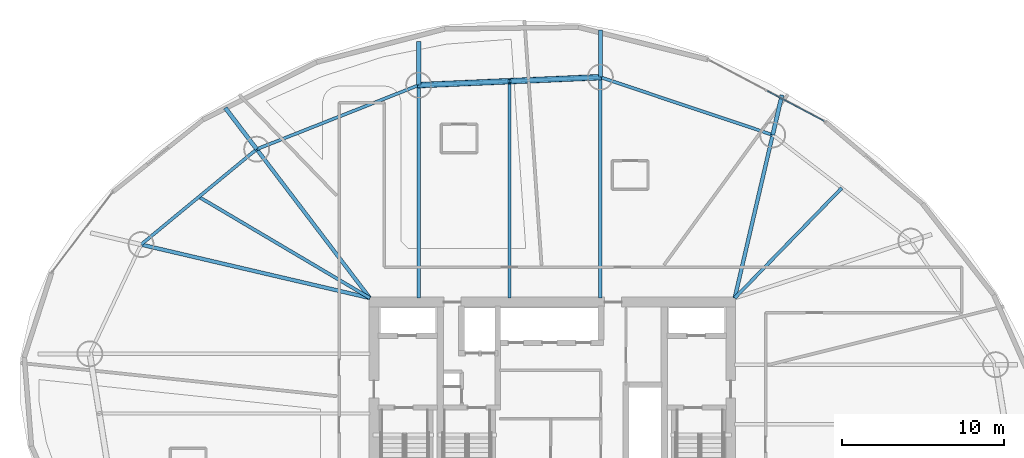
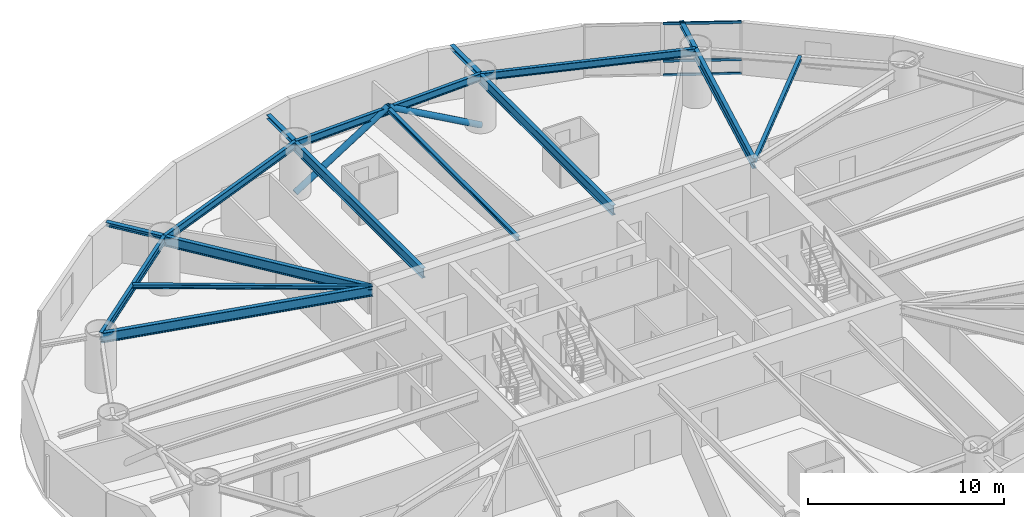
# One storey, part 8 of 19: 16 beams, 5 members, 1 element without a shape of its own.
"""IFC4 building model written with IfcOpenShell, lengths in metres."""

from ifc_helpers import new_model, si_unit, direction, frame, origin, origin_2d, place, context, subcontext, project, spatial, hollow_rectangle, hollow_circle, i_section, extrude, material, layer, layer_set, material_profile, profile_set, type_object, element, aggregate, save


model = new_model("IFC4")

# Units and contexts
model_context = context("Model", 3, precision=1e-05, world=origin(), true_north=direction((0.0, 1.0)))
body_context = subcontext(model_context, "Body", "Model", "MODEL_VIEW")
ifc_project = project(units=[si_unit("LENGTHUNIT", "METRE"), si_unit("AREAUNIT", "SQUARE_METRE"), si_unit("VOLUMEUNIT", "CUBIC_METRE"), si_unit("PLANEANGLEUNIT", "RADIAN"), si_unit("MASSUNIT", "GRAM", prefix="KILO")], contexts=[model_context])

# Site, building, storey
site_placement = place(None, origin())
site = spatial("IfcSite", under=ifc_project, at=site_placement, CompositionType="ELEMENT")
building_placement = place(site_placement, origin())
building = spatial("IfcBuilding", under=site, at=building_placement, Name="Bramvorn Convention Spire", CompositionType="ELEMENT")
storey_placement = place(building_placement, frame((0.0, 0.0, 62.39990234375)))
storey = spatial("IfcBuildingStorey", under=building, at=storey_placement, Name="L13", CompositionType="ELEMENT", Elevation=62.39990234375)

# Beams
ifc_material_1 = material(Name="Steel CSA G40.21 Grade 350 (350W)", Category="steel")
ifc_material_profile_1 = material_profile(ifc_material_1, i_section(OverallWidth=0.201904296875, OverallDepth=0.2470703125, WebThickness=0.00732421875, FlangeThickness=0.010986328125, FilletRadius=0.011962890625, at=origin_2d()))
ifc_profile_set_1 = profile_set([ifc_material_profile_1], Name="Steel CSA G40.21 Grade 350 (350W) - W250X49")
beam_type_1 = type_object("IfcBeamType", Name="BM-W250X49", PredefinedType="JOIST", material=ifc_profile_set_1)
beam_1_placement = place(storey_placement, frame((49.25, 33.449951171875, 3.126708984375), z_axis=(0.697170484005, 0.716905374671, 0.0), x_axis=(-0.716905374671, 0.697170484005, 0.0)))
element("IfcBeam", 1, at=beam_1_placement, inside=storey, type_object=beam_type_1, Name="L13 composite floor joist 03", PredefinedType="JOIST", context=body_context, shape_type="SweptSolid", body=[
    extrude(i_section(OverallWidth=0.201904296875, OverallDepth=0.2470703125, WebThickness=0.00732421875, FlangeThickness=0.010986328125, FilletRadius=0.011962890625, at=origin_2d()), origin(), (0.0, 0.0, 1.0), 9.4638671875),
])
beam_2_placement = place(storey_placement, frame((35.361572265625, 33.449951171875, 3.126708984375), z_axis=(0.0, 1.0, 0.0), x_axis=(-1.0, 0.0, 0.0)))
element("IfcBeam", 2, at=beam_2_placement, inside=storey, type_object=beam_type_1, Name="L13 composite floor joist 05", PredefinedType="JOIST", context=body_context, shape_type="SweptSolid", body=[
    extrude(i_section(OverallWidth=0.201904296875, OverallDepth=0.2470703125, WebThickness=0.00732421875, FlangeThickness=0.010986328125, FilletRadius=0.011962890625, at=origin_2d()), origin(), (0.0, 0.0, 1.0), 13.372802734375),
])
beam_3_placement = place(storey_placement, frame((26.75, 33.449951171875, 3.126708984375), z_axis=(-0.860664556648, 0.509172388223, 0.0), x_axis=(-0.509172388223, -0.860664556648, 0.0)))
element("IfcBeam", 3, at=beam_3_placement, inside=storey, type_object=beam_type_1, Name="L13 composite floor joist 07", PredefinedType="JOIST", context=body_context, shape_type="SweptSolid", body=[
    extrude(i_section(OverallWidth=0.201904296875, OverallDepth=0.2470703125, WebThickness=0.00732421875, FlangeThickness=0.010986328125, FilletRadius=0.011962890625, at=origin_2d()), origin(), (0.0, 0.0, 1.0), 12.25048828125),
])
ifc_material_profile_2 = material_profile(ifc_material_1, i_section(OverallWidth=0.25390625, OverallDepth=0.2529296875, WebThickness=0.008544921875, FlangeThickness=0.01416015625, FilletRadius=0.011962890625, at=origin_2d()))
ifc_profile_set_2 = profile_set([ifc_material_profile_2], Name="Steel CSA G40.21 Grade 350 (350W) - W250X73")
beam_type_2 = type_object("IfcBeamType", Name="BM-W250X73", PredefinedType="BEAM", material=ifc_profile_set_2)
beam_4_placement = place(storey_placement, frame((51.59033203125, 43.509033203125, 3.12353515625), z_axis=(0.226639406113, 0.973978736727, 0.0), x_axis=(-0.973978736727, 0.226639406113, 0.0)))
element("IfcBeam", 4, at=beam_4_placement, inside=storey, type_object=beam_type_2, Name="L13 slab-edge cantilever tip beam MC04", PredefinedType="BEAM", context=body_context, shape_type="SweptSolid", body=[
    extrude(i_section(OverallWidth=0.25390625, OverallDepth=0.2529296875, WebThickness=0.008544921875, FlangeThickness=0.01416015625, FilletRadius=0.011962890625, at=origin_2d()), origin(), (0.0, 0.0, 1.0), 2.52392578125),
])
beam_5_placement = place(storey_placement, frame((40.9609375, 47.06884765625, 3.12353515625), z_axis=(0.0, 1.0, 0.0), x_axis=(-1.0, 0.0, 0.0)))
element("IfcBeam", 5, at=beam_5_placement, inside=storey, type_object=beam_type_2, Name="L13 slab-edge cantilever tip beam MC05", PredefinedType="BEAM", context=body_context, shape_type="SweptSolid", body=[
    extrude(i_section(OverallWidth=0.25390625, OverallDepth=0.2529296875, WebThickness=0.008544921875, FlangeThickness=0.01416015625, FilletRadius=0.011962890625, at=origin_2d()), origin(), (0.0, 0.0, 1.0), 2.90869140625),
])
beam_6_placement = place(storey_placement, frame((29.76220703125, 46.57666015625, 3.12353515625), z_axis=(0.0, 1.0, 0.0), x_axis=(-1.0, 0.0, 0.0)))
element("IfcBeam", 6, at=beam_6_placement, inside=storey, type_object=beam_type_2, Name="L13 slab-edge cantilever tip beam MC06", PredefinedType="BEAM", context=body_context, shape_type="SweptSolid", body=[
    extrude(i_section(OverallWidth=0.25390625, OverallDepth=0.2529296875, WebThickness=0.008544921875, FlangeThickness=0.01416015625, FilletRadius=0.011962890625, at=origin_2d()), origin(), (0.0, 0.0, 1.0), 2.7021484375),
])
beam_7_placement = place(storey_placement, frame((19.772216796875, 42.628662109375, 3.12353515625), z_axis=(-0.605150969009, 0.796110736461, 0.0), x_axis=(-0.796110736461, -0.605150969009, 0.0)))
element("IfcBeam", 7, at=beam_7_placement, inside=storey, type_object=beam_type_2, Name="L13 slab-edge cantilever tip beam MC07", PredefinedType="BEAM", context=body_context, shape_type="SweptSolid", body=[
    extrude(i_section(OverallWidth=0.25390625, OverallDepth=0.2529296875, WebThickness=0.008544921875, FlangeThickness=0.01416015625, FilletRadius=0.011962890625, at=origin_2d()), origin(), (0.0, 0.0, 1.0), 3.199951171875),
])
ifc_material_profile_3 = material_profile(ifc_material_1, i_section(OverallWidth=0.194091796875, OverallDepth=0.468994140625, WebThickness=0.0126953125, FlangeThickness=0.0205078125, FilletRadius=0.01806640625, at=origin_2d()))
ifc_profile_set_3 = profile_set([ifc_material_profile_3], Name="Steel CSA G40.21 Grade 350 (350W) - W460X106")
beam_type_3 = type_object("IfcBeamType", Name="BM-W460X106", PredefinedType="SPANDREL", material=ifc_profile_set_3)
beam_8_placement = place(storey_placement, frame((51.59033203125, 43.509033203125, 3.015625), z_axis=(-0.948235872727, 0.317566890078, 0.0), x_axis=(-0.317566890078, -0.948235872727, 0.0)))
element("IfcBeam", 8, at=beam_8_placement, inside=storey, type_object=beam_type_3, Name="L13 mega-column ring beam 04", PredefinedType="SPANDREL", context=body_context, shape_type="SweptSolid", body=[
    extrude(i_section(OverallWidth=0.194091796875, OverallDepth=0.468994140625, WebThickness=0.0126953125, FlangeThickness=0.0205078125, FilletRadius=0.01806640625, at=origin_2d()), origin(), (0.0, 0.0, 1.0), 11.209716796875),
])
beam_9_placement = place(storey_placement, frame((40.9609375, 47.06884765625, 3.015625), z_axis=(-0.999035582762, -0.043907907889, 0.0), x_axis=(0.043907907889, -0.999035582762, 0.0)))
element("IfcBeam", 9, at=beam_9_placement, inside=storey, type_object=beam_type_3, Name="L13 mega-column ring beam 05", PredefinedType="SPANDREL", context=body_context, shape_type="SweptSolid", body=[
    extrude(i_section(OverallWidth=0.194091796875, OverallDepth=0.468994140625, WebThickness=0.0126953125, FlangeThickness=0.0205078125, FilletRadius=0.01806640625, at=origin_2d()), origin(), (0.0, 0.0, 1.0), 11.20947265625),
])
beam_10_placement = place(storey_placement, frame((29.76220703125, 46.57666015625, 3.015625), z_axis=(-0.93000950609, -0.367535465749, 0.0), x_axis=(0.367535465749, -0.93000950609, 0.0)))
element("IfcBeam", 10, at=beam_10_placement, inside=storey, type_object=beam_type_3, Name="L13 mega-column ring beam 06", PredefinedType="SPANDREL", context=body_context, shape_type="SweptSolid", body=[
    extrude(i_section(OverallWidth=0.194091796875, OverallDepth=0.468994140625, WebThickness=0.0126953125, FlangeThickness=0.0205078125, FilletRadius=0.01806640625, at=origin_2d()), origin(), (0.0, 0.0, 1.0), 10.74169921875),
])
beam_11_placement = place(storey_placement, frame((19.772216796875, 42.628662109375, 3.015625), z_axis=(-0.771417680101, -0.636329130896, 0.0), x_axis=(0.636329130896, -0.771417680101, 0.0)))
element("IfcBeam", 11, at=beam_11_placement, inside=storey, type_object=beam_type_3, Name="L13 mega-column ring beam 07", PredefinedType="SPANDREL", context=body_context, shape_type="SweptSolid", body=[
    extrude(i_section(OverallWidth=0.194091796875, OverallDepth=0.468994140625, WebThickness=0.0126953125, FlangeThickness=0.0205078125, FilletRadius=0.01806640625, at=origin_2d()), origin(), (0.0, 0.0, 1.0), 9.244140625),
])
ifc_material_profile_4 = material_profile(ifc_material_1, i_section(OverallWidth=0.22998046875, OverallDepth=0.616943359375, WebThickness=0.01318359375, FlangeThickness=0.022216796875, FilletRadius=0.02001953125, at=origin_2d()))
ifc_profile_set_4 = profile_set([ifc_material_profile_4], Name="Steel CSA G40.21 Grade 350 (350W) - W610X140")
beam_type_4 = type_object("IfcBeamType", Name="BM-W610X140", PredefinedType="BEAM", material=ifc_profile_set_4)
beam_12_placement = place(storey_placement, frame((49.25, 33.449951171875, 2.941650390625), z_axis=(0.226606328522, 0.973986433106, 0.0), x_axis=(-0.973986433106, 0.226606328522, 0.0)))
element("IfcBeam", 12, at=beam_12_placement, inside=storey, type_object=beam_type_4, Name="L13 radial floor girder MC04", PredefinedType="BEAM", context=body_context, shape_type="SweptSolid", body=[
    extrude(i_section(OverallWidth=0.22998046875, OverallDepth=0.616943359375, WebThickness=0.01318359375, FlangeThickness=0.022216796875, FilletRadius=0.02001953125, at=origin_2d()), origin(), (0.0, 0.0, 1.0), 10.32763671875),
])
beam_13_placement = place(storey_placement, frame((40.9609375, 33.449951171875, 2.941650390625), z_axis=(0.0, 1.0, 0.0), x_axis=(-1.0, 0.0, 0.0)))
element("IfcBeam", 13, at=beam_13_placement, inside=storey, type_object=beam_type_4, Name="L13 radial floor girder MC05", PredefinedType="BEAM", context=body_context, shape_type="SweptSolid", body=[
    extrude(i_section(OverallWidth=0.22998046875, OverallDepth=0.616943359375, WebThickness=0.01318359375, FlangeThickness=0.022216796875, FilletRadius=0.02001953125, at=origin_2d()), origin(), (0.0, 0.0, 1.0), 13.618896484375),
])
beam_14_placement = place(storey_placement, frame((29.76220703125, 33.449951171875, 2.941650390625), z_axis=(0.0, 1.0, 0.0), x_axis=(-1.0, 0.0, 0.0)))
element("IfcBeam", 14, at=beam_14_placement, inside=storey, type_object=beam_type_4, Name="L13 radial floor girder MC06", PredefinedType="BEAM", context=body_context, shape_type="SweptSolid", body=[
    extrude(i_section(OverallWidth=0.22998046875, OverallDepth=0.616943359375, WebThickness=0.01318359375, FlangeThickness=0.022216796875, FilletRadius=0.02001953125, at=origin_2d()), origin(), (0.0, 0.0, 1.0), 13.126708984375),
])
beam_15_placement = place(storey_placement, frame((26.75, 33.449951171875, 2.941650390625), z_axis=(-0.605191175112, 0.796080172826, 0.0), x_axis=(-0.796080172826, -0.605191175112, 0.0)))
element("IfcBeam", 15, at=beam_15_placement, inside=storey, type_object=beam_type_4, Name="L13 radial floor girder MC07", PredefinedType="BEAM", context=body_context, shape_type="SweptSolid", body=[
    extrude(i_section(OverallWidth=0.22998046875, OverallDepth=0.616943359375, WebThickness=0.01318359375, FlangeThickness=0.022216796875, FilletRadius=0.02001953125, at=origin_2d()), origin(), (0.0, 0.0, 1.0), 11.52978515625),
])
beam_16_placement = place(storey_placement, frame((26.75, 33.449951171875, 2.941650390625), z_axis=(-0.973775294862, 0.227511923018, 0.0), x_axis=(-0.227511923018, -0.973775294862, 0.0)))
element("IfcBeam", 16, at=beam_16_placement, inside=storey, type_object=beam_type_4, Name="L13 radial floor girder MC08", PredefinedType="BEAM", context=body_context, shape_type="SweptSolid", body=[
    extrude(i_section(OverallWidth=0.22998046875, OverallDepth=0.616943359375, WebThickness=0.01318359375, FlangeThickness=0.022216796875, FilletRadius=0.02001953125, at=origin_2d()), origin(), (0.0, 0.0, 1.0), 14.48876953125),
])

# Curtain wall, members
ifc_material_2 = material(Name="Anodised Bronze Unitised Curtain Wall", Category="aluminium")
ifc_layer = layer(ifc_material_2, 0.179931640625)
ifc_layer_set = layer_set([ifc_layer], Name="Anodised Bronze Unitised Curtain Wall - CW-HTL-FRIT")
curtain_wall_type = type_object("IfcCurtainWallType", Name="CW-HTL-FRIT", PredefinedType="USERDEFINED", material=ifc_layer_set)
curtain_wall_placement = place(storey_placement, origin())
curtain_wall = element("IfcCurtainWall", 17, at=curtain_wall_placement, inside=storey, type_object=curtain_wall_type, Name="L13 fritted glass curtain wall 05", ObjectType="UNITISED CURTAIN WALL", PredefinedType="USERDEFINED")
ifc_material_3 = material(Name="Anodised Bronze Aluminium 6063-T6", Category="aluminium")
ifc_material_profile_5 = material_profile(ifc_material_3, hollow_rectangle(XDim=0.080078125, YDim=0.159912109375, WallThickness=0.00390625, InnerFilletRadius=0.0009765625, OuterFilletRadius=0.00390625, at=origin_2d()))
ifc_profile_set_5 = profile_set([ifc_material_profile_5], Name="Anodised Bronze Aluminium 6063-T6 - CWT80X160")
member_type_1 = type_object("IfcMemberType", Name="CW-TRN-150", PredefinedType="USERDEFINED", material=ifc_profile_set_5)
member_1_placement = place(storey_placement, frame((51.2412109375, 46.227783203125, 0.030029296875), z_axis=(0.883976616089, -0.467531113625, 0.0), x_axis=(0.467531113625, 0.883976616089, 0.0)))
member_1 = element("IfcMember", 18, at=member_1_placement, type_object=member_type_1, Name="CW2 transom 2.1", ObjectType="TRANSOM", PredefinedType="USERDEFINED", context=body_context, shape_type="SweptSolid", body=[
    extrude(hollow_rectangle(XDim=0.080078125, YDim=0.159912109375, WallThickness=0.00390625, InnerFilletRadius=0.0009765625, OuterFilletRadius=0.00390625, at=origin_2d()), origin(), (0.0, 0.0, 1.0), 3.995361328125),
])
member_2_placement = place(storey_placement, frame((51.2412109375, 46.227783203125, 0.900146484375), z_axis=(0.883976616089, -0.467531113625, 0.0), x_axis=(0.467531113625, 0.883976616089, 0.0)))
member_2 = element("IfcMember", 19, at=member_2_placement, type_object=member_type_1, Name="CW2 transom 2.2", ObjectType="TRANSOM", PredefinedType="USERDEFINED", context=body_context, shape_type="SweptSolid", body=[
    extrude(hollow_rectangle(XDim=0.080078125, YDim=0.159912109375, WallThickness=0.00390625, InnerFilletRadius=0.0009765625, OuterFilletRadius=0.00390625, at=origin_2d()), origin(), (0.0, 0.0, 1.0), 3.995361328125),
])
member_3_placement = place(storey_placement, frame((51.2412109375, 46.227783203125, 3.22021484375), z_axis=(0.883976616089, -0.467531113625, 0.0), x_axis=(0.467531113625, 0.883976616089, 0.0)))
member_3 = element("IfcMember", 20, at=member_3_placement, type_object=member_type_1, Name="CW2 transom 2.3", ObjectType="TRANSOM", PredefinedType="USERDEFINED", context=body_context, shape_type="SweptSolid", body=[
    extrude(hollow_rectangle(XDim=0.080078125, YDim=0.159912109375, WallThickness=0.00390625, InnerFilletRadius=0.0009765625, OuterFilletRadius=0.00390625, at=origin_2d()), origin(), (0.0, 0.0, 1.0), 3.995361328125),
])
aggregate(curtain_wall, [member_1, member_2, member_3])

# Members
ifc_material_profile_6 = material_profile(ifc_material_1, hollow_circle(Radius=0.177734375, WallThickness=0.015869140625, at=origin_2d()))
ifc_profile_set_6 = profile_set([ifc_material_profile_6], Name="Steel CSA G40.21 Grade 350 (350W) - CHS356X16")
member_type_2 = type_object("IfcMemberType", Name="MBR-CHS356X16", PredefinedType="BRACE", material=ifc_profile_set_6)
for number, where, z_axis, x_axis, name in (
    (21, (40.9609375, 47.06884765625, 0.0), (-0.864248258726, -0.037983965328, 0.501629510363), (0.043907907889, -0.999035582762, 0.0), "L13 perimeter Gothic lancet brace 5A"),
    (22, (29.76220703125, 46.57666015625, 0.0), (0.864248258726, 0.037983965328, 0.501629510363), (-0.043907907889, 0.999035582762, 0.0), "L13 perimeter Gothic lancet brace 5B"),
):
    element("IfcMember", number, at=place(storey_placement, frame(where, z_axis=z_axis, x_axis=x_axis)), inside=storey, type_object=member_type_2, Name=name, PredefinedType="BRACE", context=body_context, shape_type="SweptSolid", body=[
        extrude(hollow_circle(Radius=0.177734375, WallThickness=0.015869140625, at=origin_2d()), origin(), (0.0, 0.0, 1.0), 6.47900390625),
    ])

save(model, "model.ifc")
